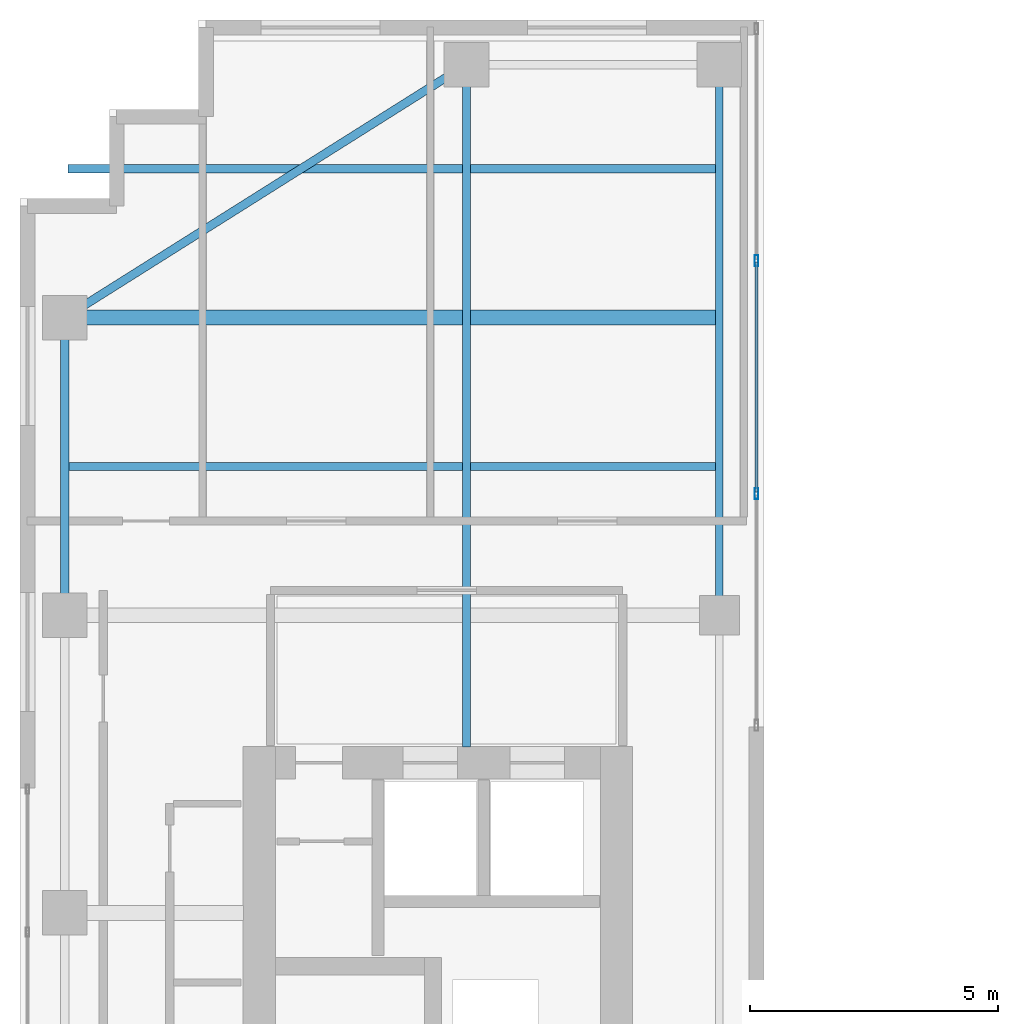
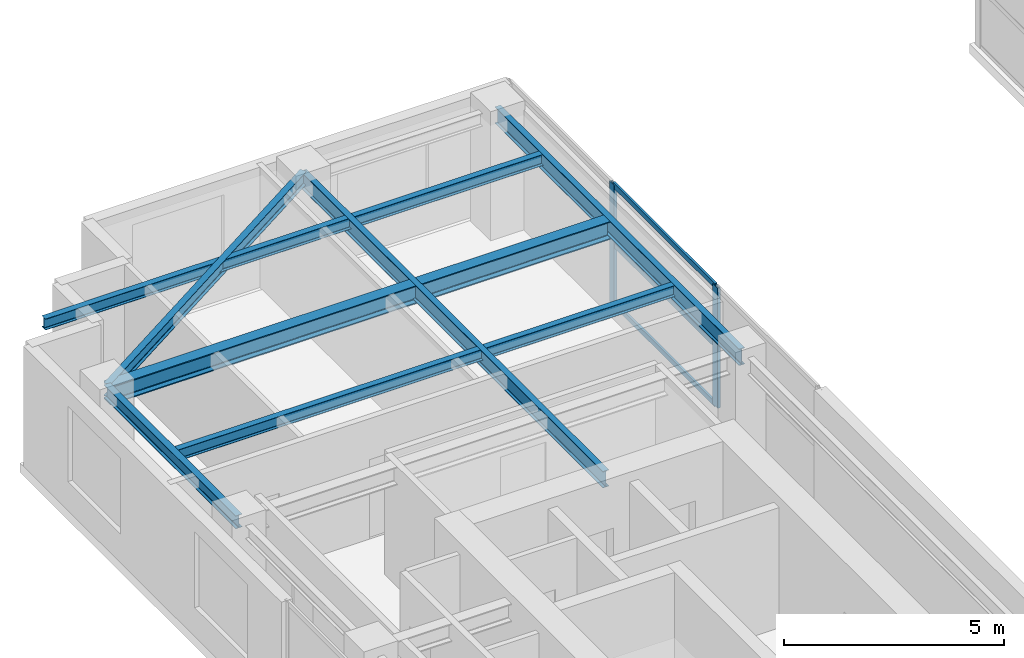
# One storey, part 12 of 21: 7 beams, 5 members, 1 element without a shape of its own.
"""IFC4 building model written with IfcOpenShell, lengths in metres."""

from ifc_helpers import new_model, si_unit, direction, frame, origin, origin_2d, place, context, subcontext, project, spatial, hollow_rectangle, i_section, extrude, source, transform, mapped, material, layer, layer_set, material_profile, profile_set, type_object, element, aggregate, save


model = new_model("IFC4")

# Units and contexts
model_context = context("Model", 3, precision=1e-05, world=origin(), true_north=direction((0.0, 1.0)))
body_context = subcontext(model_context, "Body", "Model", "MODEL_VIEW")
ifc_project = project(units=[si_unit("LENGTHUNIT", "METRE"), si_unit("AREAUNIT", "SQUARE_METRE"), si_unit("VOLUMEUNIT", "CUBIC_METRE"), si_unit("PLANEANGLEUNIT", "RADIAN"), si_unit("MASSUNIT", "GRAM", prefix="KILO")], contexts=[model_context])

# Site, building, storey
site_placement = place(None, origin())
site = spatial("IfcSite", under=ifc_project, at=site_placement, CompositionType="ELEMENT")
building_placement = place(site_placement, origin())
building = spatial("IfcBuilding", under=site, at=building_placement, Name="Khoralis Quay Care Tower", CompositionType="ELEMENT")
storey_placement = place(building_placement, frame((0.0, 0.0, 206.10009765625)))
storey = spatial("IfcBuildingStorey", under=building, at=storey_placement, Name="L54", CompositionType="ELEMENT", Elevation=206.10009765625)

# Beams
ifc_material_1 = material(Name="Steel S355", Category="steel")
ifc_material_profile_1 = material_profile(ifc_material_1, i_section(OverallWidth=0.169921875, OverallDepth=0.360107421875, WebThickness=0.008056640625, FlangeThickness=0.0126953125, FilletRadius=0.01806640625, at=origin_2d()), Name="Steel S355")
ifc_profile_set_1 = profile_set([ifc_material_profile_1], Name="Steel S355")
beam_type_1 = type_object("IfcBeamType", Name="BM-IPE360", PredefinedType="SPANDREL", material=ifc_profile_set_1)
shared_shape_1 = source(origin(), body_context, "Body", "SweptSolid", [
    extrude(i_section(OverallWidth=0.169921875, OverallDepth=0.360107421875, WebThickness=0.008056640625, FlangeThickness=0.0126953125, FilletRadius=0.01806640625, at=origin_2d()), origin(), (0.0, 0.0, 1.0), 6.0),
])
beam_1_placement = place(storey_placement, frame((3.89990234375, 30.0, 3.159912109375), z_axis=(0.0, 1.0, 0.0), x_axis=(-1.0, 0.0, 0.0)))
element("IfcBeam", 1, at=beam_1_placement, inside=storey, type_object=beam_type_1, Name="BM-TSP-L54-09", PredefinedType="SPANDREL", context=body_context, shape_type="MappedRepresentation", body=[
    mapped(shared_shape_1, transform((0.0, 0.0, 0.0), scale=1.0)),
])
shared_shape_2 = source(origin(), body_context, "Body", "SweptSolid", [
    extrude(i_section(OverallWidth=0.169921875, OverallDepth=0.360107421875, WebThickness=0.008056640625, FlangeThickness=0.0126953125, FilletRadius=0.01806640625, at=origin_2d()), origin(), (0.0, 0.0, 1.0), 9.572021484375),
])
beam_2_placement = place(storey_placement, frame((12.0, 41.10009765625, 3.159912109375), z_axis=(-0.846231136359, -0.532815975602, 0.0), x_axis=(0.532815975602, -0.846231136359, 0.0)))
element("IfcBeam", 2, at=beam_2_placement, inside=storey, type_object=beam_type_1, Name="BM-TCR-L54-17", PredefinedType="SPANDREL", context=body_context, shape_type="MappedRepresentation", body=[
    mapped(shared_shape_2, transform((0.0, 0.0, 0.0), scale=1.0)),
])
ifc_material_profile_2 = material_profile(ifc_material_1, i_section(OverallWidth=0.300048828125, OverallDepth=0.5, WebThickness=0.014404296875, FlangeThickness=0.028076171875, FilletRadius=0.027099609375, at=origin_2d()), Name="Steel S355")
ifc_profile_set_2 = profile_set([ifc_material_profile_2], Name="Steel S355")
beam_type_2 = type_object("IfcBeamType", Name="BM-HEB500", PredefinedType="BEAM", material=ifc_profile_set_2)
shared_shape_3 = source(origin(), body_context, "Body", "SweptSolid", [
    extrude(i_section(OverallWidth=0.300048828125, OverallDepth=0.5, WebThickness=0.014404296875, FlangeThickness=0.028076171875, FilletRadius=0.027099609375, at=origin_2d()), origin(), (0.0, 0.0, 1.0), 13.135009765625),
])
beam_3_placement = place(storey_placement, frame((3.89990234375, 36.0, 3.08984375), z_axis=(1.0, 0.0, 0.0), x_axis=(0.0, 1.0, 0.0)))
element("IfcBeam", 3, at=beam_3_placement, inside=storey, type_object=beam_type_2, Name="BM-TGXW-L54-360", PredefinedType="BEAM", context=body_context, shape_type="MappedRepresentation", body=[
    mapped(shared_shape_3, transform((0.0, 0.0, 0.0), scale=1.0)),
])
ifc_material_profile_3 = material_profile(ifc_material_1, i_section(OverallWidth=0.154052734375, OverallDepth=0.458984375, WebThickness=0.009033203125, FlangeThickness=0.015380859375, FilletRadius=0.014892578125, at=origin_2d()), Name="Steel S355")
ifc_profile_set_3 = profile_set([ifc_material_profile_3], Name="Steel S355")
beam_type_3 = type_object("IfcBeamType", Name="BM-W460X68", PredefinedType="BEAM", material=ifc_profile_set_3)
shared_shape_4 = source(origin(), body_context, "Body", "SweptSolid", [
    extrude(i_section(OverallWidth=0.154052734375, OverallDepth=0.458984375, WebThickness=0.009033203125, FlangeThickness=0.015380859375, FilletRadius=0.014892578125, at=origin_2d()), origin(), (0.0, 0.0, 1.0), 11.10009765625),
])
beam_4_placement = place(storey_placement, frame((17.10009765625, 30.0, 3.1103515625), z_axis=(0.0, 1.0, 0.0), x_axis=(-1.0, 0.0, 0.0)))
element("IfcBeam", 4, at=beam_4_placement, inside=storey, type_object=beam_type_3, Name="BM-TGYN-L54-171", PredefinedType="BEAM", context=body_context, shape_type="MappedRepresentation", body=[
    mapped(shared_shape_4, transform((0.0, 0.0, 0.0), scale=1.0)),
])
shared_shape_5 = source(origin(), body_context, "Body", "SweptSolid", [
    extrude(i_section(OverallWidth=0.154052734375, OverallDepth=0.458984375, WebThickness=0.009033203125, FlangeThickness=0.015380859375, FilletRadius=0.014892578125, at=origin_2d()), origin(), (0.0, 0.0, 1.0), 13.752197265625),
])
beam_5_placement = place(storey_placement, frame((12.0, 27.347900390625, 3.1103515625), z_axis=(0.0, 1.0, 0.0), x_axis=(-1.0, 0.0, 0.0)))
element("IfcBeam", 5, at=beam_5_placement, inside=storey, type_object=beam_type_3, Name="BM-TGYN-L54-120", PredefinedType="BEAM", context=body_context, shape_type="MappedRepresentation", body=[
    mapped(shared_shape_5, transform((0.0, 0.0, 0.0), scale=1.0)),
])
ifc_material_profile_4 = material_profile(ifc_material_1, i_section(OverallWidth=0.1650390625, OverallDepth=0.31005859375, WebThickness=0.005859375, FlangeThickness=0.009765625, FilletRadius=0.011962890625, at=origin_2d()), Name="Steel S355")
ifc_profile_set_4 = profile_set([ifc_material_profile_4], Name="Steel S355")
beam_type_4 = type_object("IfcBeamType", Name="BM-W310X39", PredefinedType="JOIST", material=ifc_profile_set_4)
shared_shape_6 = source(origin(), body_context, "Body", "SweptSolid", [
    extrude(i_section(OverallWidth=0.1650390625, OverallDepth=0.31005859375, WebThickness=0.005859375, FlangeThickness=0.009765625, FilletRadius=0.011962890625, at=origin_2d()), origin(), (0.0, 0.0, 1.0), 13.06396484375),
])
for number, where, z_axis, x_axis, name in (
    (6, (3.970947265625, 33.0, 3.184814453125), (1.0, 0.0, 0.0), (0.0, 1.0, 0.0), "BM-TJS-L54-21"),
    (7, (3.970947265625, 39.0, 3.184814453125), (1.0, 0.0, 0.0), (0.0, 1.0, 0.0), "BM-TJS-L54-23"),
):
    element("IfcBeam", number, at=place(storey_placement, frame(where, z_axis=z_axis, x_axis=x_axis)), inside=storey, type_object=beam_type_4, Name=name, PredefinedType="JOIST", context=body_context, shape_type="MappedRepresentation", body=[
        mapped(shared_shape_6, transform((0.0, 0.0, 0.0), scale=1.0)),
    ])

# Curtain wall, members
ifc_material_2 = material(Name="Pale anodised aluminium", Category="aluminium")
ifc_layer = layer(ifc_material_2, 0.18994140625)
ifc_layer_set = layer_set([ifc_layer], Name="Pale anodised aluminium")
curtain_wall_type = type_object("IfcCurtainWallType", Name="CW-SYS-PORTAL", PredefinedType="NOTDEFINED", material=ifc_layer_set)
curtain_wall_placement = place(storey_placement, origin())
curtain_wall = element("IfcCurtainWall", 8, at=curtain_wall_placement, inside=storey, type_object=curtain_wall_type, Name="L54 Unitised Curtain Wall CW-VP-L54-P1-N", PredefinedType="NOTDEFINED")
ifc_material_profile_5 = material_profile(ifc_material_2, hollow_rectangle(XDim=0.06005859375, YDim=0.139892578125, WallThickness=0.00390625, at=origin_2d()), Name="Pale anodised aluminium")
ifc_profile_set_5 = profile_set([ifc_material_profile_5], Name="Pale anodised aluminium")
member_type_1 = type_object("IfcMemberType", Name="CW-TRN-140", PredefinedType="USERDEFINED", material=ifc_profile_set_5)
shared_shape_7 = source(origin(), body_context, "Body", "SweptSolid", [
    extrude(hollow_rectangle(XDim=0.06005859375, YDim=0.139892578125, WallThickness=0.00390625, at=origin_2d()), origin(), (0.0, 0.0, 1.0), 4.64013671875),
])
member_1_placement = place(storey_placement, frame((17.85009765625, 32.47998046875, 0.02978515625), z_axis=(0.0, 1.0, 0.0), x_axis=(-1.0, 0.0, 0.0)))
member_1 = element("IfcMember", 9, at=member_1_placement, type_object=member_type_1, Name="CW4 transom 2.1", ObjectType="TRANSOM", PredefinedType="USERDEFINED", context=body_context, shape_type="MappedRepresentation", body=[
    mapped(shared_shape_7, transform((0.0, 0.0, 0.0), scale=1.0)),
])
member_2_placement = place(storey_placement, frame((17.85009765625, 32.47998046875, 1.669921875), z_axis=(0.0, 1.0, 0.0), x_axis=(-1.0, 0.0, 0.0)))
member_2 = element("IfcMember", 10, at=member_2_placement, type_object=member_type_1, Name="CW4 transom 2.2", ObjectType="TRANSOM", PredefinedType="USERDEFINED", context=body_context, shape_type="MappedRepresentation", body=[
    mapped(shared_shape_7, transform((0.0, 0.0, 0.0), scale=1.0)),
])
member_3_placement = place(storey_placement, frame((17.85009765625, 32.47998046875, 3.309814453125), z_axis=(0.0, 1.0, 0.0), x_axis=(-1.0, 0.0, 0.0)))
member_3 = element("IfcMember", 11, at=member_3_placement, type_object=member_type_1, Name="CW4 transom 2.3", ObjectType="TRANSOM", PredefinedType="USERDEFINED", context=body_context, shape_type="MappedRepresentation", body=[
    mapped(shared_shape_7, transform((0.0, 0.0, 0.0), scale=1.0)),
])
ifc_material_profile_6 = material_profile(ifc_material_2, hollow_rectangle(XDim=0.074951171875, YDim=0.219970703125, WallThickness=0.00390625, at=origin_2d()), Name="Pale anodised aluminium")
ifc_profile_set_6 = profile_set([ifc_material_profile_6], Name="Pale anodised aluminium")
member_type_2 = type_object("IfcMemberType", Name="CW-MUL-220", PredefinedType="MULLION", material=ifc_profile_set_6)
shared_shape_8 = source(origin(), body_context, "Body", "SweptSolid", [
    extrude(hollow_rectangle(XDim=0.074951171875, YDim=0.219970703125, WallThickness=0.00390625, at=origin_2d()), origin(), (0.0, 0.0, 1.0), 3.33984375),
])
member_4_placement = place(storey_placement, frame((17.85009765625, 32.449951171875, 0.0), z_axis=(0.0, 0.0, 1.0), x_axis=(-1.0, 0.0, 0.0)))
member_4 = element("IfcMember", 12, at=member_4_placement, type_object=member_type_2, Name="CW4 mullion 2", PredefinedType="MULLION", context=body_context, shape_type="MappedRepresentation", body=[
    mapped(shared_shape_8, transform((0.0, 0.0, 0.0), scale=1.0)),
])
member_5_placement = place(storey_placement, frame((17.85009765625, 37.14990234375, 0.0), z_axis=(0.0, 0.0, 1.0), x_axis=(-1.0, 0.0, 0.0)))
member_5 = element("IfcMember", 13, at=member_5_placement, type_object=member_type_2, Name="CW4 mullion 3", PredefinedType="MULLION", context=body_context, shape_type="MappedRepresentation", body=[
    mapped(shared_shape_8, transform((0.0, 0.0, 0.0), scale=1.0)),
])
aggregate(curtain_wall, [member_4, member_5, member_1, member_2, member_3])

save(model, "model.ifc")
